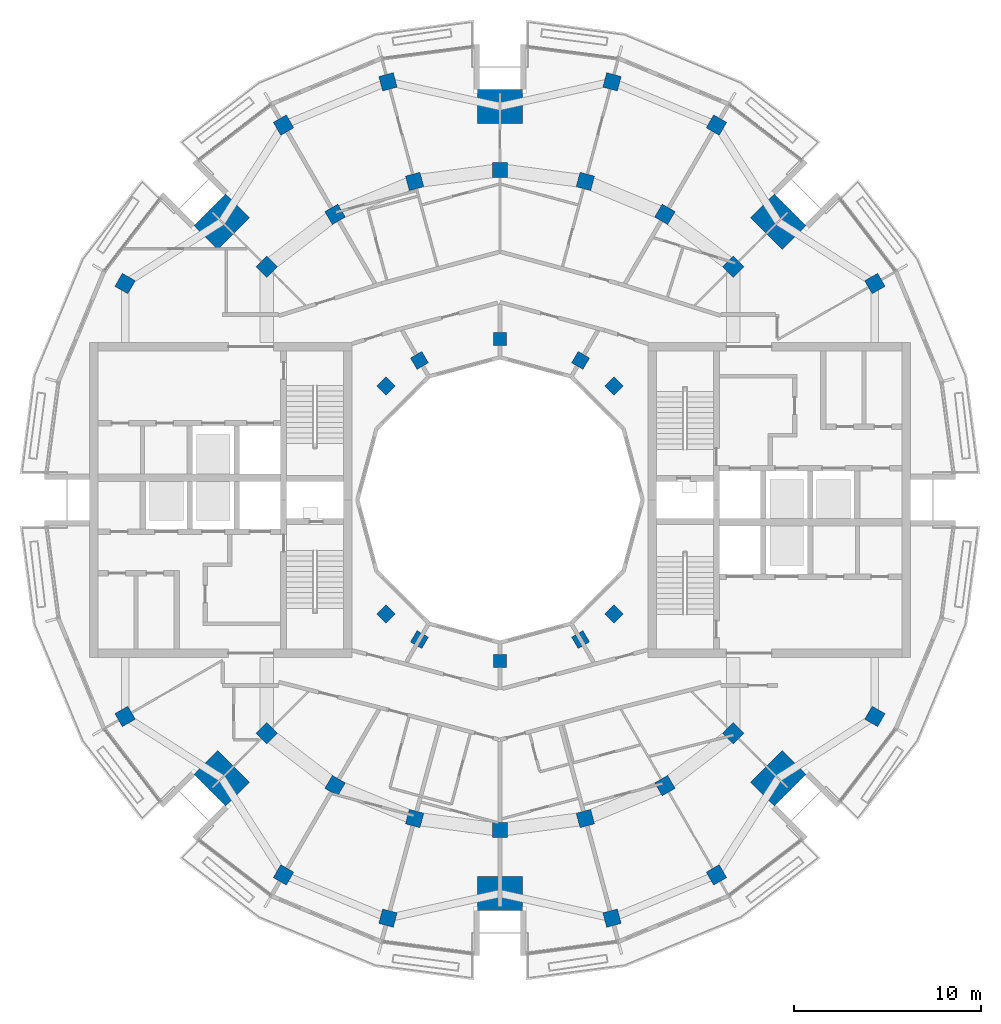
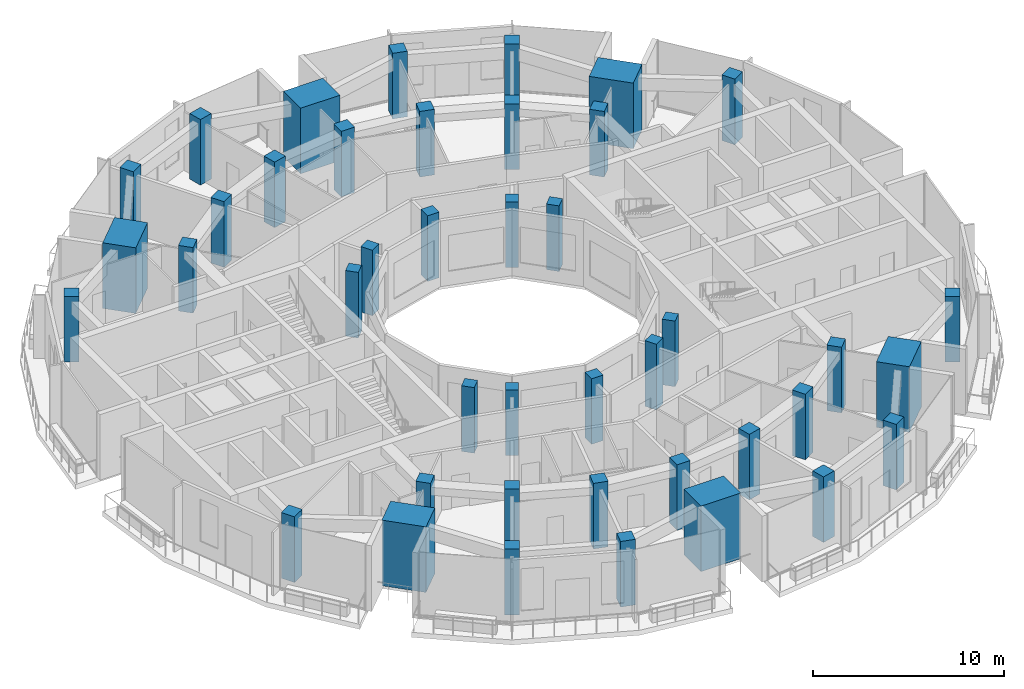
# One storey, part 1 of 17: 42 columns.
"""IFC4 building model written with IfcOpenShell, lengths in metres."""

from ifc_helpers import new_model, si_unit, direction, frame, origin, origin_2d, place, context, subcontext, project, spatial, rectangle, extrude, material, material_profile, profile_set, type_object, element, save


model = new_model("IFC4")

# Units and contexts
model_context = context("Model", 3, precision=1e-05, world=origin(), true_north=direction((0.0, 1.0)))
body_context = subcontext(model_context, "Body", "Model", "MODEL_VIEW")
ifc_project = project(units=[si_unit("LENGTHUNIT", "METRE"), si_unit("AREAUNIT", "SQUARE_METRE"), si_unit("VOLUMEUNIT", "CUBIC_METRE"), si_unit("PLANEANGLEUNIT", "RADIAN"), si_unit("MASSUNIT", "GRAM", prefix="KILO")], contexts=[model_context])

# Site, building, storey
site_placement = place(None, origin())
site = spatial("IfcSite", under=ifc_project, at=site_placement, CompositionType="ELEMENT")
building_placement = place(site_placement, origin())
building = spatial("IfcBuilding", under=site, at=building_placement, Name="Torre Brocal", CompositionType="ELEMENT")
storey_placement = place(building_placement, frame((0.0, 0.0, 275.699951171875)))
storey = spatial("IfcBuildingStorey", under=building, at=storey_placement, Name="L63", CompositionType="ELEMENT", Elevation=275.699951171875)

# Columns
ifc_material_1 = material(Name="Concrete C50", Category="concrete")
ifc_material_profile_1 = material_profile(ifc_material_1, rectangle(XDim=1.800048828125, YDim=2.39990234375, at=origin_2d()), Name="RC 1800X2400")
ifc_profile_set_1 = profile_set([ifc_material_profile_1], Name="Concrete C50")
column_type_1 = type_object("IfcColumnType", Name="RC COLUMN 1800X2400 C50", PredefinedType="COLUMN", material=ifc_profile_set_1)
for number, where, z_axis, x_axis, name in (
    (1, (94.84912109375, 89.84912109375, 0.0), (0.0, 0.0, 1.0), (0.707106781187, 0.707106781187, 0.0), "Column MCA-1"),
    (2, (80.0, 96.0, 0.0), (0.0, 0.0, 1.0), (0.0, 1.0, 0.0), "Column MCA-2"),
    (3, (65.15087890625, 89.84912109375, 0.0), (0.0, 0.0, 1.0), (-0.707106781187, 0.707106781187, 0.0), "Column MCA-3"),
    (4, (65.15087890625, 60.15087890625, 0.0), (0.0, 0.0, 1.0), (-0.707106781187, -0.707106781187, 0.0), "Column MCA-5"),
    (5, (80.0, 54.0, 0.0), (0.0, 0.0, 1.0), (0.0, -1.0, 0.0), "Column MCA-6"),
    (6, (94.84912109375, 60.15087890625, 0.0), (0.0, 0.0, 1.0), (0.707106781187, -0.707106781187, 0.0), "Column MCA-7"),
):
    element("IfcColumn", number, at=place(storey_placement, frame(where, z_axis=z_axis, x_axis=x_axis)), inside=storey, type_object=column_type_1, Name=name, PredefinedType="COLUMN", context=body_context, shape_type="SweptSolid", body=[
        extrude(rectangle(XDim=1.800048828125, YDim=2.39990234375, at=origin_2d()), origin(), (0.0, 0.0, 1.0), 4.199951171875),
    ])
ifc_material_2 = material(Name="Concrete C50", Category="concrete")
ifc_material_profile_2 = material_profile(ifc_material_2, rectangle(XDim=0.699951171875, YDim=0.699951171875, at=origin_2d()), Name="RC 700X700")
ifc_profile_set_2 = profile_set([ifc_material_profile_2], Name="Concrete C50")
column_type_2 = type_object("IfcColumnType", Name="RC COLUMN 700X700 C50", PredefinedType="COLUMN", material=ifc_profile_set_2)
for number, where, z_axis, x_axis, name in (
    (7, (86.0810546875, 81.0810546875, 0.0), (0.0, 0.0, 1.0), (0.707106781187, 0.707106781187, 0.0), "Column C-I03"),
    (8, (84.300048828125, 82.44775390625, 0.0), (0.0, 0.0, 1.0), (0.5, 0.866025403784, 0.0), "Column C-I04"),
    (9, (80.0, 83.60009765625, 0.0), (0.0, 0.0, 1.0), (0.0, 1.0, 0.0), "Column C-I06"),
    (10, (75.699951171875, 82.44775390625, 0.0), (0.0, 0.0, 1.0), (-0.5, 0.866025403784, 0.0), "Column C-I08"),
    (11, (73.9189453125, 81.0810546875, 0.0), (0.0, 0.0, 1.0), (-0.707106781187, 0.707106781187, 0.0), "Column C-I09"),
    (12, (73.9189453125, 68.9189453125, 0.0), (0.0, 0.0, 1.0), (-0.707106781187, -0.707106781187, 0.0), "Column C-I15"),
    (13, (75.699951171875, 67.55224609375, 0.0), (0.0, 0.0, 1.0), (-0.5, -0.866025403784, 0.0), "Column C-I16"),
    (14, (80.0, 66.39990234375, 0.0), (0.0, 0.0, 1.0), (0.0, -1.0, 0.0), "Column C-I18"),
    (15, (84.300048828125, 67.55224609375, 0.0), (0.0, 0.0, 1.0), (0.5, -0.866025403784, 0.0), "Column C-I20"),
    (16, (86.0810546875, 68.9189453125, 0.0), (0.0, 0.0, 1.0), (0.707106781187, -0.707106781187, 0.0), "Column C-I21"),
):
    element("IfcColumn", number, at=place(storey_placement, frame(where, z_axis=z_axis, x_axis=x_axis)), inside=storey, type_object=column_type_2, Name=name, PredefinedType="COLUMN", context=body_context, shape_type="SweptSolid", body=[
        extrude(rectangle(XDim=0.699951171875, YDim=0.699951171875, at=origin_2d()), origin(), (0.0, 0.0, 1.0), 4.199951171875),
    ])
ifc_material_3 = material(Name="Concrete C50", Category="concrete")
ifc_material_profile_3 = material_profile(ifc_material_3, rectangle(XDim=0.800048828125, YDim=0.800048828125, at=origin_2d()), Name="RC 800X800")
ifc_profile_set_3 = profile_set([ifc_material_profile_3], Name="Concrete C50")
column_type_3 = type_object("IfcColumnType", Name="RC COLUMN 800X800 C50", PredefinedType="COLUMN", material=ifc_profile_set_3)
for number, where, z_axis, x_axis, name in (
    (17, (100.005126953125, 86.550048828125, 0.0), (0.0, 0.0, 1.0), (0.866025403784, 0.5, 0.0), "Column C-OA02"),
    (18, (91.550048828125, 95.005126953125, 0.0), (0.0, 0.0, 1.0), (0.5, 0.866025403784, 0.0), "Column C-OA04"),
    (19, (85.978759765625, 97.31298828125, 0.0), (0.0, 0.0, 1.0), (0.258819045103, 0.965925826289, 0.0), "Column C-OA05"),
    (20, (74.021240234375, 97.31298828125, 0.0), (0.0, 0.0, 1.0), (-0.258819045103, 0.965925826289, 0.0), "Column C-OA07"),
    (21, (68.449951171875, 95.005126953125, 0.0), (0.0, 0.0, 1.0), (-0.5, 0.866025403784, 0.0), "Column C-OA08"),
    (22, (59.994873046875, 86.550048828125, 0.0), (0.0, 0.0, 1.0), (-0.866025403784, 0.5, 0.0), "Column C-OA10"),
    (23, (59.994873046875, 63.449951171875, 0.0), (0.0, 0.0, 1.0), (-0.866025403784, -0.5, 0.0), "Column C-OA14"),
    (24, (68.449951171875, 54.994873046875, 0.0), (0.0, 0.0, 1.0), (-0.5, -0.866025403784, 0.0), "Column C-OA16"),
    (25, (74.021240234375, 52.68701171875, 0.0), (0.0, 0.0, 1.0), (-0.258819045103, -0.965925826289, 0.0), "Column C-OA17"),
    (26, (85.978759765625, 52.68701171875, 0.0), (0.0, 0.0, 1.0), (0.258819045103, -0.965925826289, 0.0), "Column C-OA19"),
    (27, (91.550048828125, 54.994873046875, 0.0), (0.0, 0.0, 1.0), (0.5, -0.866025403784, 0.0), "Column C-OA20"),
    (28, (100.005126953125, 63.449951171875, 0.0), (0.0, 0.0, 1.0), (0.866025403784, -0.5, 0.0), "Column C-OA22"),
    (29, (92.445068359375, 87.445068359375, 0.0), (0.0, 0.0, 1.0), (0.707106781187, 0.707106781187, 0.0), "Column C-M03"),
    (30, (88.800048828125, 90.241943359375, 0.0), (0.0, 0.0, 1.0), (0.5, 0.866025403784, 0.0), "Column C-M04"),
    (31, (84.55517578125, 92.000244140625, 0.0), (0.0, 0.0, 1.0), (0.258819045103, 0.965925826289, 0.0), "Column C-M05"),
    (32, (80.0, 92.60009765625, 0.0), (0.0, 0.0, 1.0), (0.0, 1.0, 0.0), "Column C-M06"),
    (33, (75.44482421875, 92.000244140625, 0.0), (0.0, 0.0, 1.0), (-0.258819045103, 0.965925826289, 0.0), "Column C-M07"),
    (34, (71.199951171875, 90.241943359375, 0.0), (0.0, 0.0, 1.0), (-0.5, 0.866025403784, 0.0), "Column C-M08"),
    (35, (67.554931640625, 87.445068359375, 0.0), (0.0, 0.0, 1.0), (-0.707106781187, 0.707106781187, 0.0), "Column C-M09"),
    (36, (67.554931640625, 62.554931640625, 0.0), (0.0, 0.0, 1.0), (-0.707106781187, -0.707106781187, 0.0), "Column C-M15"),
    (37, (71.199951171875, 59.758056640625, 0.0), (0.0, 0.0, 1.0), (-0.5, -0.866025403784, 0.0), "Column C-M16"),
    (38, (75.44482421875, 57.999755859375, 0.0), (0.0, 0.0, 1.0), (-0.258819045103, -0.965925826289, 0.0), "Column C-M17"),
    (39, (80.0, 57.39990234375, 0.0), (0.0, 0.0, 1.0), (0.0, -1.0, 0.0), "Column C-M18"),
    (40, (84.55517578125, 57.999755859375, 0.0), (0.0, 0.0, 1.0), (0.258819045103, -0.965925826289, 0.0), "Column C-M19"),
    (41, (88.800048828125, 59.758056640625, 0.0), (0.0, 0.0, 1.0), (0.5, -0.866025403784, 0.0), "Column C-M20"),
    (42, (92.445068359375, 62.554931640625, 0.0), (0.0, 0.0, 1.0), (0.707106781187, -0.707106781187, 0.0), "Column C-M21"),
):
    element("IfcColumn", number, at=place(storey_placement, frame(where, z_axis=z_axis, x_axis=x_axis)), inside=storey, type_object=column_type_3, Name=name, PredefinedType="COLUMN", context=body_context, shape_type="SweptSolid", body=[
        extrude(rectangle(XDim=0.800048828125, YDim=0.800048828125, at=origin_2d()), origin(), (0.0, 0.0, 1.0), 4.199951171875),
    ])

save(model, "model.ifc")
